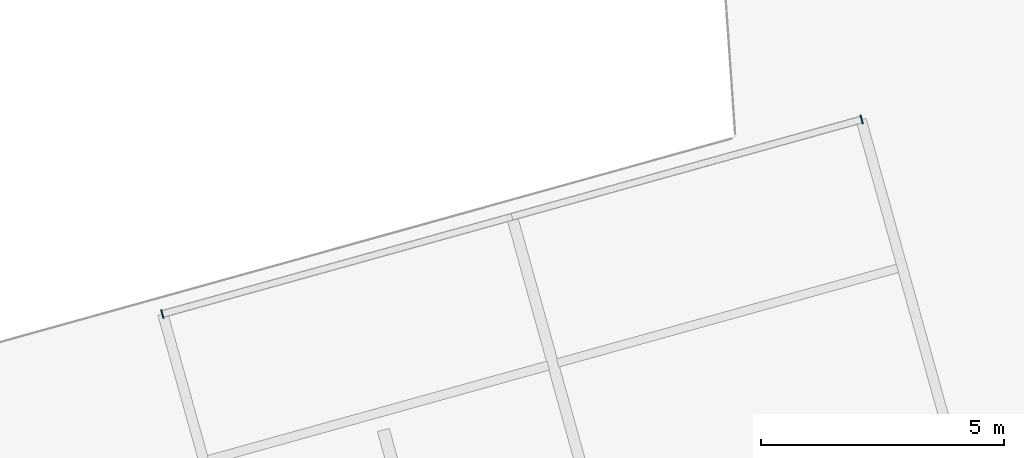
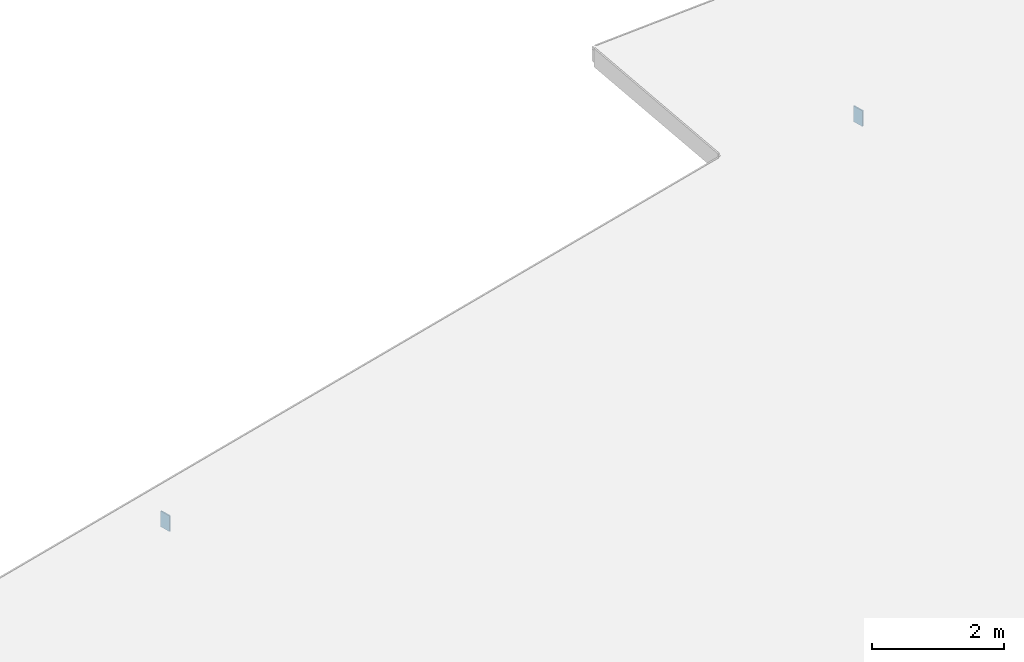
# One storey, part 41 of 90: 2 plates.
"""IFC4 building model written with IfcOpenShell, lengths in metres."""

from ifc_helpers import new_model, si_unit, direction, frame, origin, origin_2d, place, context, subcontext, project, spatial, rectangle, extrude, material, layer, layer_set, type_object, element, save


model = new_model("IFC4")

# Units and contexts
model_context = context("Model", 3, precision=1e-05, world=origin(), true_north=direction((0.0, 1.0)))
body_context = subcontext(model_context, "Body", "Model", "MODEL_VIEW")
ifc_project = project(units=[si_unit("LENGTHUNIT", "METRE"), si_unit("AREAUNIT", "SQUARE_METRE"), si_unit("VOLUMEUNIT", "CUBIC_METRE"), si_unit("PLANEANGLEUNIT", "RADIAN"), si_unit("MASSUNIT", "GRAM", prefix="KILO")], contexts=[model_context])

# Site, building, storey
site_placement = place(None, origin())
site = spatial("IfcSite", under=ifc_project, at=site_placement, CompositionType="ELEMENT")
building_placement = place(site_placement, origin())
building = spatial("IfcBuilding", under=site, at=building_placement, Name="Wrenclough Park School", CompositionType="ELEMENT")
storey_placement = place(building_placement, frame((0.0, 0.0, 8.39990234375)))
storey = spatial("IfcBuildingStorey", under=building, at=storey_placement, Name="L02", CompositionType="ELEMENT", Elevation=8.39990234375)

# Plates
ifc_material = material(Name="Structural steel S355", Category="steel")
ifc_layer = layer(ifc_material, 0.2900390625)
ifc_layer_set = layer_set([ifc_layer], Name="Structural steel S355")
plate_type = type_object("IfcPlateType", Name="STR-PL-EP250", PredefinedType="SHEET", material=ifc_layer_set)
for number, where, z_axis, x_axis, name in (
    (1, (70.4296875, 40.67431640625, -0.5), (0.0, 0.0, 1.0), (0.963396876837, 0.268079200424, 0.0), "W12 eave fascia L1 start sealing end-cap plate"),
    (2, (84.825927734375, 44.68017578125, -0.5), (0.0, 0.0, 1.0), (0.963396876837, 0.268079200424, 0.0), "W12 eave fascia L2 end sealing end-cap plate"),
):
    element("IfcPlate", number, at=place(storey_placement, frame(where, z_axis=z_axis, x_axis=x_axis)), inside=storey, type_object=plate_type, Name=name, PredefinedType="SHEET", context=body_context, shape_type="SweptSolid", body=[
        extrude(rectangle(XDim=0.02197265625, YDim=0.18994140625, at=origin_2d()), origin(), (0.0, 0.0, 1.0), 0.2900390625),
    ])

save(model, "model.ifc")
